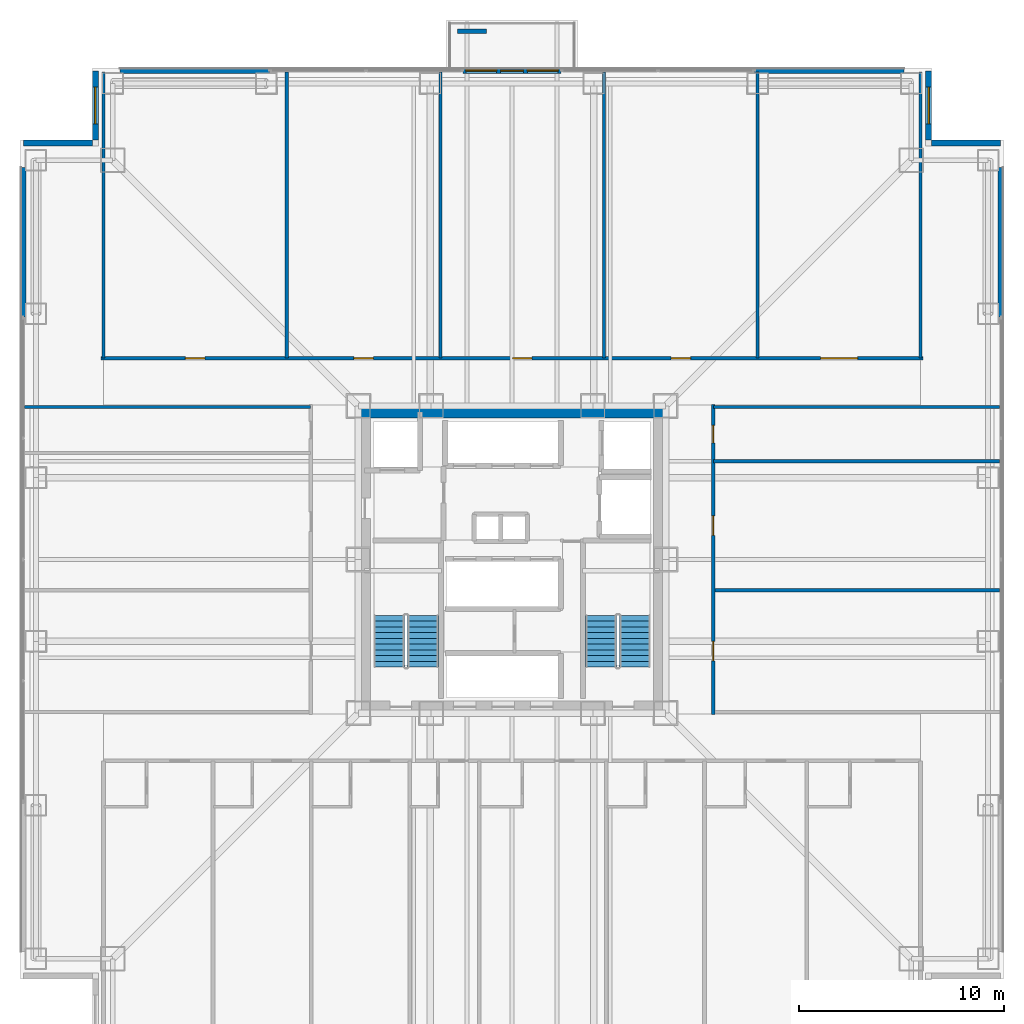
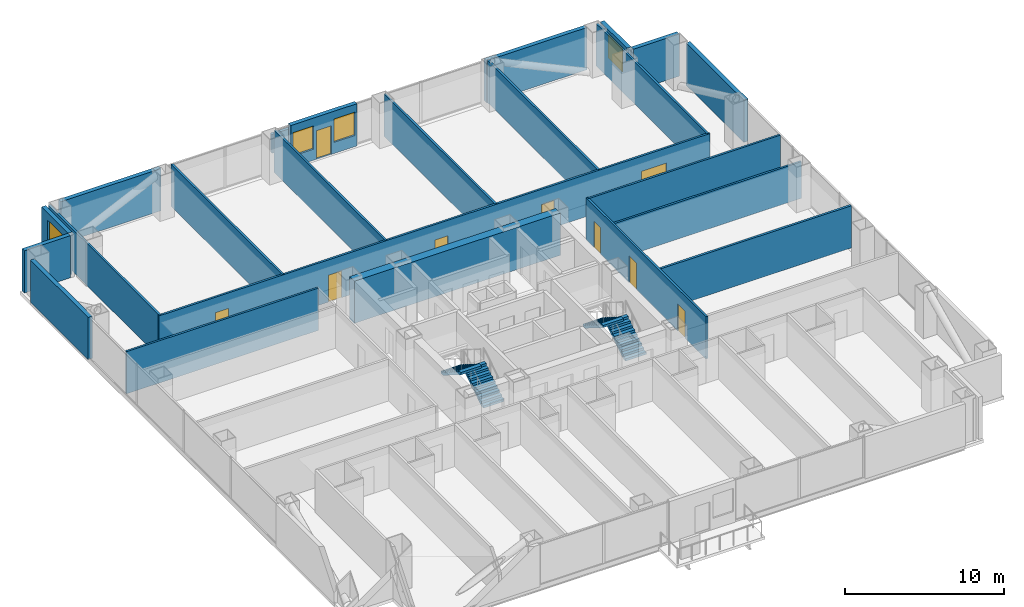
# One storey, part 13 of 16: 23 walls, 9 doors, 4 stair flights, 4 windows, 13 openings, 2 elements without a shape of their own.
"""IFC4 building model written with IfcOpenShell, lengths in metres."""

from ifc_helpers import new_model, si_unit, direction, frame, frame_2d, origin, place, context, subcontext, project, spatial, polyline, rectangle, outline, extrude, material, layer, layer_set, type_object, element, fill, aggregate, save


model = new_model("IFC4")

# Units and contexts
model_context = context("Model", 3, precision=1e-05, world=origin(), true_north=direction((0.0, 1.0)))
body_context = subcontext(model_context, "Body", "Model", "MODEL_VIEW")
ifc_project = project(units=[si_unit("LENGTHUNIT", "METRE"), si_unit("AREAUNIT", "SQUARE_METRE"), si_unit("VOLUMEUNIT", "CUBIC_METRE"), si_unit("PLANEANGLEUNIT", "RADIAN"), si_unit("MASSUNIT", "GRAM", prefix="KILO")], contexts=[model_context])

# Site, building, storey
site_placement = place(None, origin())
site = spatial("IfcSite", under=ifc_project, at=site_placement, CompositionType="ELEMENT")
building_placement = place(site_placement, origin())
building = spatial("IfcBuilding", under=site, at=building_placement, Name="Trevonay Congress Spire", CompositionType="ELEMENT")
storey_placement = place(building_placement, frame((0.0, 0.0, 65.5)))
storey = spatial("IfcBuildingStorey", under=building, at=storey_placement, Name="L16", CompositionType="ELEMENT", Elevation=65.5)

# Wall
ifc_material_1 = material(Name="Concrete C60/75", Category="concrete")
ifc_layer_1 = layer(ifc_material_1, 0.60009765625, Name="Concrete C60/75")
ifc_layer_set_1 = layer_set([ifc_layer_1], Name="Concrete C60/75")
wall_type_1 = type_object("IfcWallType", Name="WAL-CORE-600", PredefinedType="SHEAR", material=ifc_layer_set_1)
wall_1_placement = place(storey_placement, frame((-7.5, 7.199951171875, 0.0), z_axis=(0.0, 0.0, 1.0), x_axis=(1.0, 0.0, 0.0)))
element("IfcWall", 1, at=wall_1_placement, inside=storey, type_object=wall_type_1, Name="L16 North structural core shear wall", PredefinedType="SHEAR", context=body_context, shape_type="SweptSolid", body=[
    extrude(rectangle(XDim=15.0, YDim=0.60009765625, at=frame_2d((7.5, 0.0))), origin(), (0.0, 0.0, 1.0), 3.25),
])

# Wall, openings, doors
ifc_material_2 = material(Name="Concrete C40/50", Category="concrete")
ifc_layer_2 = layer(ifc_material_2, 0.14990234375, Name="Concrete C40/50")
ifc_layer_set_2 = layer_set([ifc_layer_2], Name="Concrete C40/50")
wall_type_2 = type_object("IfcWallType", Name="WAL-CORR-150", PredefinedType="PARTITIONING", material=ifc_layer_set_2)
wall_2_placement = place(storey_placement, frame((-20.070068359375, 9.830078125, 0.0), z_axis=(0.0, 0.0, 1.0), x_axis=(1.0, 0.0, 0.0)))
wall_2 = element("IfcWall", 2, at=wall_2_placement, inside=storey, type_object=wall_type_2, Name="L16 interior wall WP-L16N-COR", PredefinedType="PARTITIONING", context=body_context, shape_type="SweptSolid", body=[
    extrude(rectangle(XDim=40.14013671875, YDim=0.14990234375, at=frame_2d((20.070068359375, 0.0))), origin(), (0.0, 0.0, 1.0), 3.25),
])
opening_1_placement = place(wall_2_placement, frame((4.1201171875, 0.0, 0.0)))
opening_1 = element("IfcOpeningElement", 3, at=opening_1_placement, cuts=wall_2, Name="Opening D07", PredefinedType="OPENING", context=body_context, shape_type="SweptSolid", body=[
    extrude(rectangle(XDim=0.949951171875, YDim=2.06005859375, at=frame_2d((0.47509765625, 1.030029296875))), frame((0.0, 0.0849609375, 0.0), z_axis=(0.0, -1.0, 0.0), x_axis=(1.0, 0.0, 0.0)), (0.0, 0.0, 1.0), 0.169921875),
])
opening_2_placement = place(wall_2_placement, frame((12.344970703125, 0.0, 0.0)))
opening_2 = element("IfcOpeningElement", 4, at=opening_2_placement, cuts=wall_2, Name="Opening D07", PredefinedType="OPENING", context=body_context, shape_type="SweptSolid", body=[
    extrude(rectangle(XDim=0.949951171875, YDim=2.06005859375, at=frame_2d((0.47509765625, 1.030029296875))), frame((0.0, 0.0849609375, 0.0), z_axis=(0.0, -1.0, 0.0), x_axis=(1.0, 0.0, 0.0)), (0.0, 0.0, 1.0), 0.169921875),
])
opening_3_placement = place(wall_2_placement, frame((20.094970703125, 0.0, 0.0)))
opening_3 = element("IfcOpeningElement", 5, at=opening_3_placement, cuts=wall_2, Name="Opening D07", PredefinedType="OPENING", context=body_context, shape_type="SweptSolid", body=[
    extrude(rectangle(XDim=0.949951171875, YDim=2.06005859375, at=frame_2d((0.47509765625, 1.030029296875))), frame((0.0, 0.0849609375, 0.0), z_axis=(0.0, -1.0, 0.0), x_axis=(1.0, 0.0, 0.0)), (0.0, 0.0, 1.0), 0.169921875),
])
opening_4_placement = place(wall_2_placement, frame((27.844970703125, 0.0, 0.0)))
opening_4 = element("IfcOpeningElement", 6, at=opening_4_placement, cuts=wall_2, Name="Opening D07", PredefinedType="OPENING", context=body_context, shape_type="SweptSolid", body=[
    extrude(rectangle(XDim=0.949951171875, YDim=2.06005859375, at=frame_2d((0.47509765625, 1.030029296875))), frame((0.0, 0.0849609375, 0.0), z_axis=(0.0, -1.0, 0.0), x_axis=(1.0, 0.0, 0.0)), (0.0, 0.0, 1.0), 0.169921875),
])
opening_5_placement = place(wall_2_placement, frame((35.14501953125, 0.0, 0.0)))
opening_5 = element("IfcOpeningElement", 7, at=opening_5_placement, cuts=wall_2, Name="Opening D09", PredefinedType="OPENING", context=body_context, shape_type="SweptSolid", body=[
    extrude(rectangle(XDim=1.800048828125, YDim=2.080078125, at=frame_2d((0.89990234375, 1.0400390625))), frame((0.0, 0.0849609375, 0.0), z_axis=(0.0, -1.0, 0.0), x_axis=(1.0, 0.0, 0.0)), (0.0, 0.0, 1.0), 0.169921875),
])
ifc_material_3 = material(Name="Pale Anodised Aluminium EN AW-6063-T6", Category="aluminium")
door_type_1 = type_object("IfcDoorType", Name="DOR-CONF-DBL", OperationType="DOUBLE_DOOR_SINGLE_SWING", PredefinedType="DOOR", material=ifc_material_3)
door_1_placement = place(opening_5_placement, origin())
door_1 = element("IfcDoor", 8, at=door_1_placement, inside=storey, type_object=door_type_1, Name="L16 Club Reading Library Lounge Door", OperationType="DOUBLE_DOOR_SINGLE_SWING", OverallHeight=2.080078125, OverallWidth=1.800048828125, PredefinedType="DOOR", context=body_context, shape_type="SweptSolid", body=[
    extrude(rectangle(XDim=1.800048828125, YDim=2.080078125, at=frame_2d((0.89990234375, 1.0400390625))), frame((0.0, 0.02490234375, 0.0), z_axis=(0.0, -1.0, 0.0), x_axis=(1.0, 0.0, 0.0)), (0.0, 0.0, 1.0), 0.050048828125),
])
fill(opening_5, door_1)
door_type_2 = type_object("IfcDoorType", Name="DOR-OFFICE-95", OperationType="NOTDEFINED", PredefinedType="DOOR", material=ifc_material_3)
door_2_placement = place(opening_1_placement, origin())
door_2 = element("IfcDoor", 9, at=door_2_placement, inside=storey, type_object=door_type_2, Name="L16 Executive Club Co-Working Office 1 Door", OperationType="SINGLE_SWING_LEFT", OverallHeight=2.06005859375, OverallWidth=0.949951171875, PredefinedType="DOOR", context=body_context, shape_type="SweptSolid", body=[
    extrude(rectangle(XDim=0.949951171875, YDim=2.06005859375, at=frame_2d((0.47509765625, 1.030029296875))), frame((0.0, 0.02490234375, 0.0), z_axis=(0.0, -1.0, 0.0), x_axis=(1.0, 0.0, 0.0)), (0.0, 0.0, 1.0), 0.050048828125),
])
fill(opening_1, door_2)
door_3_placement = place(opening_2_placement, origin())
door_3 = element("IfcDoor", 10, at=door_3_placement, inside=storey, type_object=door_type_2, Name="L16 Visiting Delegation Office 2 Door", OperationType="SINGLE_SWING_RIGHT", OverallHeight=2.06005859375, OverallWidth=0.949951171875, PredefinedType="DOOR", context=body_context, shape_type="SweptSolid", body=[
    extrude(rectangle(XDim=0.949951171875, YDim=2.06005859375, at=frame_2d((0.47509765625, 1.030029296875))), frame((0.0, 0.02490234375, 0.0), z_axis=(0.0, -1.0, 0.0), x_axis=(1.0, 0.0, 0.0)), (0.0, 0.0, 1.0), 0.050048828125),
])
fill(opening_2, door_3)
door_4_placement = place(opening_3_placement, origin())
door_4 = element("IfcDoor", 11, at=door_4_placement, inside=storey, type_object=door_type_2, Name="L16 Diplomatic Secretariat Office 3 Door", OperationType="SINGLE_SWING_LEFT", OverallHeight=2.06005859375, OverallWidth=0.949951171875, PredefinedType="DOOR", context=body_context, shape_type="SweptSolid", body=[
    extrude(rectangle(XDim=0.949951171875, YDim=2.06005859375, at=frame_2d((0.47509765625, 1.030029296875))), frame((0.0, 0.02490234375, 0.0), z_axis=(0.0, -1.0, 0.0), x_axis=(1.0, 0.0, 0.0)), (0.0, 0.0, 1.0), 0.050048828125),
])
fill(opening_3, door_4)
door_5_placement = place(opening_4_placement, origin())
door_5 = element("IfcDoor", 12, at=door_5_placement, inside=storey, type_object=door_type_2, Name="L16 Executive Boardroom North Door", OperationType="SINGLE_SWING_RIGHT", OverallHeight=2.06005859375, OverallWidth=0.949951171875, PredefinedType="DOOR", context=body_context, shape_type="SweptSolid", body=[
    extrude(rectangle(XDim=0.949951171875, YDim=2.06005859375, at=frame_2d((0.47509765625, 1.030029296875))), frame((0.0, 0.02490234375, 0.0), z_axis=(0.0, -1.0, 0.0), x_axis=(1.0, 0.0, 0.0)), (0.0, 0.0, 1.0), 0.050048828125),
])
fill(opening_4, door_5)

wall_3_placement = place(storey_placement, frame((9.830078125, -7.570068359375, 0.0), z_axis=(0.0, 0.0, 1.0), x_axis=(0.0, 1.0, 0.0)))
wall_3 = element("IfcWall", 13, at=wall_3_placement, inside=storey, type_object=wall_type_2, Name="L16 interior wall WP-L16E-COR", PredefinedType="PARTITIONING", context=body_context, shape_type="SweptSolid", body=[
    extrude(rectangle(XDim=15.14013671875, YDim=0.14990234375, at=frame_2d((7.570068359375, 0.0))), origin(), (0.0, 0.0, 1.0), 3.25),
])
opening_6_placement = place(wall_3_placement, frame((2.6201171875, 0.0, 0.0)))
opening_6 = element("IfcOpeningElement", 14, at=opening_6_placement, cuts=wall_3, Name="Opening D07", PredefinedType="OPENING", context=body_context, shape_type="SweptSolid", body=[
    extrude(rectangle(XDim=0.949951171875, YDim=2.06005859375, at=frame_2d((0.47509765625, 1.030029296875))), frame((0.0, 0.0849609375, 0.0), z_axis=(0.0, -1.0, 0.0), x_axis=(1.0, 0.0, 0.0)), (0.0, 0.0, 1.0), 0.169921875),
])
opening_7_placement = place(wall_3_placement, frame((8.7451171875, 0.0, 0.0)))
opening_7 = element("IfcOpeningElement", 15, at=opening_7_placement, cuts=wall_3, Name="Opening D07", PredefinedType="OPENING", context=body_context, shape_type="SweptSolid", body=[
    extrude(rectangle(XDim=0.949951171875, YDim=2.06005859375, at=frame_2d((0.47509765625, 1.030029296875))), frame((0.0, 0.0849609375, 0.0), z_axis=(0.0, -1.0, 0.0), x_axis=(1.0, 0.0, 0.0)), (0.0, 0.0, 1.0), 0.169921875),
])
opening_8_placement = place(wall_3_placement, frame((13.27001953125, 0.0, 0.0)))
opening_8 = element("IfcOpeningElement", 16, at=opening_8_placement, cuts=wall_3, Name="Opening D10", PredefinedType="OPENING", context=body_context, shape_type="SweptSolid", body=[
    extrude(rectangle(XDim=0.85009765625, YDim=2.050048828125, at=frame_2d((0.425048828125, 1.02490234375))), frame((0.0, 0.0849609375, 0.0), z_axis=(0.0, -1.0, 0.0), x_axis=(1.0, 0.0, 0.0)), (0.0, 0.0, 1.0), 0.169921875),
])
door_6_placement = place(opening_6_placement, origin())
door_6 = element("IfcDoor", 17, at=door_6_placement, inside=storey, type_object=door_type_2, Name="L16 Housekeeping and Linen Room Door", OperationType="SINGLE_SWING_RIGHT", OverallHeight=2.06005859375, OverallWidth=0.949951171875, PredefinedType="DOOR", context=body_context, shape_type="SweptSolid", body=[
    extrude(rectangle(XDim=0.949951171875, YDim=2.06005859375, at=frame_2d((0.47509765625, 1.030029296875))), frame((0.0, 0.02490234375, 0.0), z_axis=(0.0, -1.0, 0.0), x_axis=(1.0, 0.0, 0.0)), (0.0, 0.0, 1.0), 0.050048828125),
])
fill(opening_6, door_6)
door_7_placement = place(opening_7_placement, origin())
door_7 = element("IfcDoor", 18, at=door_7_placement, inside=storey, type_object=door_type_2, Name="L16 Club Pantry Kitchen Door", OperationType="SINGLE_SWING_LEFT", OverallHeight=2.06005859375, OverallWidth=0.949951171875, PredefinedType="DOOR", context=body_context, shape_type="SweptSolid", body=[
    extrude(rectangle(XDim=0.949951171875, YDim=2.06005859375, at=frame_2d((0.47509765625, 1.030029296875))), frame((0.0, 0.02490234375, 0.0), z_axis=(0.0, -1.0, 0.0), x_axis=(1.0, 0.0, 0.0)), (0.0, 0.0, 1.0), 0.050048828125),
])
fill(opening_7, door_7)
door_type_3 = type_object("IfcDoorType", Name="DOR-WC-85", OperationType="NOTDEFINED", PredefinedType="DOOR", material=ifc_material_3)
door_8_placement = place(opening_8_placement, origin())
door_8 = element("IfcDoor", 19, at=door_8_placement, inside=storey, type_object=door_type_3, Name="L16 Female Restroom WC Door", OperationType="SINGLE_SWING_RIGHT", OverallHeight=2.050048828125, OverallWidth=0.85009765625, PredefinedType="DOOR", context=body_context, shape_type="SweptSolid", body=[
    extrude(rectangle(XDim=0.85009765625, YDim=2.050048828125, at=frame_2d((0.425048828125, 1.02490234375))), frame((0.0, 0.02490234375, 0.0), z_axis=(0.0, -1.0, 0.0), x_axis=(1.0, 0.0, 0.0)), (0.0, 0.0, 1.0), 0.050048828125),
])
fill(opening_8, door_8)

# Walls
ifc_material_4 = material(Name="Precast concrete C40/50", Category="concrete")
ifc_layer_3 = layer(ifc_material_4, 0.300048828125, Name="Precast concrete C40/50")
ifc_layer_set_3 = layer_set([ifc_layer_3], Name="Precast concrete C40/50")
wall_type_3 = type_object("IfcWallType", Name="WAL-EXT-PRECAST-300", PredefinedType="SOLIDWALL", material=ifc_layer_set_3)
for number, where, z_axis, x_axis, name in (
    (20, (-19.14990234375, 23.8798828125, 0.0), (0.0, 0.0, 1.0), (1.0, 0.0, 0.0), "L16 NL braced-bay exterior pier wall"),
    (21, (11.85009765625, 23.8798828125, 0.0), (0.0, 0.0, 1.0), (1.0, 0.0, 0.0), "L16 NR braced-bay exterior pier wall"),
):
    element("IfcWall", number, at=place(storey_placement, frame(where, z_axis=z_axis, x_axis=x_axis)), inside=storey, type_object=wall_type_3, Name=name, PredefinedType="SOLIDWALL", context=body_context, shape_type="SweptSolid", body=[
        extrude(rectangle(XDim=7.2998046875, YDim=0.300048828125, at=frame_2d((3.64990234375, 0.0))), origin(), (0.0, 0.0, 1.0), 3.25),
    ])

# Wall, openings, door, windows
wall_4_placement = place(storey_placement, frame((-2.39990234375, 23.8798828125, 0.0), z_axis=(0.0, 0.0, 1.0), x_axis=(1.0, 0.0, 0.0)))
wall_4 = element("IfcWall", 22, at=wall_4_placement, inside=storey, type_object=wall_type_3, Name="L16 N glazed balcony portal exterior wall", PredefinedType="SOLIDWALL", context=body_context, shape_type="SweptSolid", body=[
    extrude(rectangle(XDim=4.7998046875, YDim=0.300048828125, at=frame_2d((2.39990234375, 0.0))), origin(), (0.0, 0.0, 1.0), 3.25),
])
opening_9_placement = place(wall_4_placement, frame((1.85009765625, 0.0, 0.0)))
opening_9 = element("IfcOpeningElement", 23, at=opening_9_placement, cuts=wall_4, Name="Opening D03", PredefinedType="OPENING", context=body_context, shape_type="SweptSolid", body=[
    extrude(rectangle(XDim=1.10009765625, YDim=2.199951171875, at=frame_2d((0.550048828125, 1.10009765625))), frame((0.0, 0.16015625, 0.0), z_axis=(0.0, -1.0, 0.0), x_axis=(1.0, 0.0, 0.0)), (0.0, 0.0, 1.0), 0.320068359375),
])
opening_10_placement = place(wall_4_placement, frame((0.14990234375, 0.0, 0.85009765625)))
opening_10 = element("IfcOpeningElement", 24, at=opening_10_placement, cuts=wall_4, Name="Opening WN03", PredefinedType="OPENING", context=body_context, shape_type="SweptSolid", body=[
    extrude(rectangle(XDim=1.5, YDim=1.800048828125, at=frame_2d((0.75, 0.89990234375))), frame((0.0, 0.16015625, 0.0), z_axis=(0.0, -1.0, 0.0), x_axis=(1.0, 0.0, 0.0)), (0.0, 0.0, 1.0), 0.320068359375),
])
opening_11_placement = place(wall_4_placement, frame((3.14990234375, 0.0, 0.85009765625)))
opening_11 = element("IfcOpeningElement", 25, at=opening_11_placement, cuts=wall_4, Name="Opening WN03", PredefinedType="OPENING", context=body_context, shape_type="SweptSolid", body=[
    extrude(rectangle(XDim=1.5, YDim=1.800048828125, at=frame_2d((0.75, 0.89990234375))), frame((0.0, 0.16015625, 0.0), z_axis=(0.0, -1.0, 0.0), x_axis=(1.0, 0.0, 0.0)), (0.0, 0.0, 1.0), 0.320068359375),
])
door_type_4 = type_object("IfcDoorType", Name="DOR-EXT-BAL-110", OperationType="NOTDEFINED", PredefinedType="DOOR", material=ifc_material_3)
door_9_placement = place(opening_9_placement, origin())
door_9 = element("IfcDoor", 26, at=door_9_placement, inside=storey, type_object=door_type_4, Name="L16 N glazed outdoor terrace and balcony door", OperationType="SINGLE_SWING_RIGHT", OverallHeight=2.199951171875, OverallWidth=1.10009765625, PredefinedType="DOOR", context=body_context, shape_type="SweptSolid", body=[
    extrude(rectangle(XDim=1.10009765625, YDim=2.199951171875, at=frame_2d((0.550048828125, 1.10009765625))), frame((0.0, 0.02490234375, 0.0), z_axis=(0.0, -1.0, 0.0), x_axis=(1.0, 0.0, 0.0)), (0.0, 0.0, 1.0), 0.050048828125),
])
fill(opening_9, door_9)
ifc_material_5 = material(Name="Insulated Low-E Vision Glass IGU", Category="glass")
window_type_1 = type_object("IfcWindowType", Name="WIN-NOTCH-150X180", PartitioningType="SINGLE_PANEL", PredefinedType="WINDOW", material=ifc_material_5)
window_1_placement = place(opening_10_placement, origin())
window_1 = element("IfcWindow", 27, at=window_1_placement, inside=storey, type_object=window_type_1, Name="L16 N balcony sidelight window L", OverallHeight=1.800048828125, OverallWidth=1.5, PartitioningType="SINGLE_PANEL", PredefinedType="WINDOW", context=body_context, shape_type="SweptSolid", body=[
    extrude(rectangle(XDim=1.5, YDim=1.800048828125, at=frame_2d((0.75, 0.89990234375))), frame((0.0, 0.030029296875, 0.0), z_axis=(0.0, -1.0, 0.0), x_axis=(1.0, 0.0, 0.0)), (0.0, 0.0, 1.0), 0.06005859375),
])
fill(opening_10, window_1)
window_2_placement = place(opening_11_placement, origin())
window_2 = element("IfcWindow", 28, at=window_2_placement, inside=storey, type_object=window_type_1, Name="L16 N balcony sidelight window R", OverallHeight=1.800048828125, OverallWidth=1.5, PartitioningType="SINGLE_PANEL", PredefinedType="WINDOW", context=body_context, shape_type="SweptSolid", body=[
    extrude(rectangle(XDim=1.5, YDim=1.800048828125, at=frame_2d((0.75, 0.89990234375))), frame((0.0, 0.030029296875, 0.0), z_axis=(0.0, -1.0, 0.0), x_axis=(1.0, 0.0, 0.0)), (0.0, 0.0, 1.0), 0.06005859375),
])
fill(opening_11, window_2)

# Walls
for number, where, z_axis, x_axis, name in (
    (29, (-23.8798828125, 11.85009765625, 0.0), (0.0, 0.0, 1.0), (0.0, 1.0, 0.0), "L16 WR braced-bay exterior pier wall"),
    (30, (23.8798828125, 11.85009765625, 0.0), (0.0, 0.0, 1.0), (0.0, 1.0, 0.0), "L16 ER braced-bay exterior pier wall"),
):
    element("IfcWall", number, at=place(storey_placement, frame(where, z_axis=z_axis, x_axis=x_axis)), inside=storey, type_object=wall_type_3, Name=name, PredefinedType="SOLIDWALL", context=body_context, shape_type="SweptSolid", body=[
        extrude(rectangle(XDim=7.2998046875, YDim=0.300048828125, at=frame_2d((3.64990234375, 0.0))), origin(), (0.0, 0.0, 1.0), 3.25),
    ])

# Wall, opening, window
wall_5_placement = place(storey_placement, frame((20.35009765625, 23.85009765625, 0.0), z_axis=(0.0, 0.0, 1.0), x_axis=(0.0, -1.0, 0.0)))
wall_5 = element("IfcWall", 31, at=wall_5_placement, inside=storey, type_object=wall_type_3, Name="L16 NE re-entrant notch exterior wall 1", PredefinedType="SOLIDWALL", context=body_context, shape_type="SweptSolid", body=[
    extrude(rectangle(XDim=3.35009765625, YDim=0.300048828125, at=frame_2d((1.675048828125, 0.0))), origin(), (0.0, 0.0, 1.0), 3.25),
])
opening_12_placement = place(wall_5_placement, frame((0.77490234375, 0.0, 0.89990234375)))
opening_12 = element("IfcOpeningElement", 32, at=opening_12_placement, cuts=wall_5, Name="Opening WN01", PredefinedType="OPENING", context=body_context, shape_type="SweptSolid", body=[
    extrude(rectangle(XDim=1.800048828125, YDim=1.800048828125, at=frame_2d((0.89990234375, 0.89990234375))), frame((0.0, 0.16015625, 0.0), z_axis=(0.0, -1.0, 0.0), x_axis=(1.0, 0.0, 0.0)), (0.0, 0.0, 1.0), 0.320068359375),
])
window_type_2 = type_object("IfcWindowType", Name="WIN-HOTEL-180X180", PartitioningType="SINGLE_PANEL", PredefinedType="WINDOW", material=ifc_material_5)
window_3_placement = place(opening_12_placement, origin())
window_3 = element("IfcWindow", 33, at=window_3_placement, inside=storey, type_object=window_type_2, Name="L16 NE corner notch window", OverallHeight=1.800048828125, OverallWidth=1.800048828125, PartitioningType="SINGLE_PANEL", PredefinedType="WINDOW", context=body_context, shape_type="SweptSolid", body=[
    extrude(rectangle(XDim=1.800048828125, YDim=1.800048828125, at=frame_2d((0.89990234375, 0.89990234375))), frame((0.0, 0.030029296875, 0.0), z_axis=(0.0, -1.0, 0.0), x_axis=(1.0, 0.0, 0.0)), (0.0, 0.0, 1.0), 0.06005859375),
])
fill(opening_12, window_3)

# Wall
wall_6_placement = place(storey_placement, frame((23.85009765625, 20.35009765625, 0.0), z_axis=(0.0, 0.0, 1.0), x_axis=(-1.0, 0.0, 0.0)))
element("IfcWall", 34, at=wall_6_placement, inside=storey, type_object=wall_type_3, Name="L16 NE re-entrant notch exterior wall 2", PredefinedType="SOLIDWALL", context=body_context, shape_type="SweptSolid", body=[
    extrude(rectangle(XDim=3.35009765625, YDim=0.300048828125, at=frame_2d((1.675048828125, 0.0))), origin(), (0.0, 0.0, 1.0), 3.25),
])

# Wall, opening, window
wall_7_placement = place(storey_placement, frame((-20.35009765625, 23.85009765625, 0.0), z_axis=(0.0, 0.0, 1.0), x_axis=(0.0, -1.0, 0.0)))
wall_7 = element("IfcWall", 35, at=wall_7_placement, inside=storey, type_object=wall_type_3, Name="L16 NW re-entrant notch exterior wall 1", PredefinedType="SOLIDWALL", context=body_context, shape_type="SweptSolid", body=[
    extrude(rectangle(XDim=3.35009765625, YDim=0.300048828125, at=frame_2d((1.675048828125, 0.0))), origin(), (0.0, 0.0, 1.0), 3.25),
])
opening_13_placement = place(wall_7_placement, frame((0.77490234375, 0.0, 0.89990234375)))
opening_13 = element("IfcOpeningElement", 36, at=opening_13_placement, cuts=wall_7, Name="Opening WN01", PredefinedType="OPENING", context=body_context, shape_type="SweptSolid", body=[
    extrude(rectangle(XDim=1.800048828125, YDim=1.800048828125, at=frame_2d((0.89990234375, 0.89990234375))), frame((0.0, 0.16015625, 0.0), z_axis=(0.0, -1.0, 0.0), x_axis=(1.0, 0.0, 0.0)), (0.0, 0.0, 1.0), 0.320068359375),
])
window_4_placement = place(opening_13_placement, origin())
window_4 = element("IfcWindow", 37, at=window_4_placement, inside=storey, type_object=window_type_2, Name="L16 NW corner notch window", OverallHeight=1.800048828125, OverallWidth=1.800048828125, PartitioningType="SINGLE_PANEL", PredefinedType="WINDOW", context=body_context, shape_type="SweptSolid", body=[
    extrude(rectangle(XDim=1.800048828125, YDim=1.800048828125, at=frame_2d((0.89990234375, 0.89990234375))), frame((0.0, 0.030029296875, 0.0), z_axis=(0.0, -1.0, 0.0), x_axis=(1.0, 0.0, 0.0)), (0.0, 0.0, 1.0), 0.06005859375),
])
fill(opening_13, window_4)

# Walls
wall_8_placement = place(storey_placement, frame((-23.85009765625, 20.35009765625, 0.0), z_axis=(0.0, 0.0, 1.0), x_axis=(1.0, 0.0, 0.0)))
element("IfcWall", 38, at=wall_8_placement, inside=storey, type_object=wall_type_3, Name="L16 NW re-entrant notch exterior wall 2", PredefinedType="SOLIDWALL", context=body_context, shape_type="SweptSolid", body=[
    extrude(rectangle(XDim=3.35009765625, YDim=0.300048828125, at=frame_2d((1.675048828125, 0.0))), origin(), (0.0, 0.0, 1.0), 3.25),
])
ifc_layer_4 = layer(ifc_material_2, 0.14990234375, Name="Concrete C40/50")
ifc_layer_set_4 = layer_set([ifc_layer_4], Name="Concrete C40/50")
wall_type_4 = type_object("IfcWallType", Name="WAL-PART-150", PredefinedType="PARTITIONING", material=ifc_layer_set_4)
for number, where, z_axis, x_axis, name in (
    (39, (-19.949951171875, 9.830078125, 0.0), (0.0, 0.0, 1.0), (0.0, 1.0, 0.0), "L16 interior wall WP-L16N-DIV1"),
    (40, (-11.0, 9.830078125, 0.0), (0.0, 0.0, 1.0), (0.0, 1.0, 0.0), "L16 interior wall WP-L16N-DIV2"),
    (41, (-3.5, 9.830078125, 0.0), (0.0, 0.0, 1.0), (0.0, 1.0, 0.0), "L16 interior wall WP-L16N-DIV3"),
    (42, (4.5, 9.830078125, 0.0), (0.0, 0.0, 1.0), (0.0, 1.0, 0.0), "L16 interior wall WP-L16N-DIV4"),
    (43, (12.0, 9.830078125, 0.0), (0.0, 0.0, 1.0), (0.0, 1.0, 0.0), "L16 interior wall WP-L16N-DIV5"),
    (44, (19.949951171875, 9.830078125, 0.0), (0.0, 0.0, 1.0), (0.0, 1.0, 0.0), "L16 interior wall WP-L16N-DIV6"),
    (45, (-23.820068359375, 7.449951171875, 0.0), (0.0, 0.0, 1.0), (1.0, 0.0, 0.0), "L16 interior wall WP-L16W-DIV4"),
):
    element("IfcWall", number, at=place(storey_placement, frame(where, z_axis=z_axis, x_axis=x_axis)), inside=storey, type_object=wall_type_4, Name=name, PredefinedType="PARTITIONING", context=body_context, shape_type="SweptSolid", body=[
        extrude(rectangle(XDim=13.989990234375, YDim=0.14990234375, at=frame_2d((6.9951171875, 0.0))), origin(), (0.0, 0.0, 1.0), 3.25),
    ])
wall_9_placement = place(storey_placement, frame((9.830078125, 4.800048828125, 0.0), z_axis=(0.0, 0.0, 1.0), x_axis=(1.0, 0.0, 0.0)))
element("IfcWall", 46, at=wall_9_placement, inside=storey, type_object=wall_type_4, Name="L16 interior wall WP-L16E-DIV3", PredefinedType="PARTITIONING", context=body_context, shape_type="SweptSolid", body=[
    extrude(rectangle(XDim=13.989990234375, YDim=0.14990234375, at=frame_2d((6.9951171875, 0.0))), origin(), (0.0, 0.0, 1.0), 2.818115234375),
])
wall_10_placement = place(storey_placement, frame((9.830078125, 7.449951171875, 0.0), z_axis=(0.0, 0.0, 1.0), x_axis=(1.0, 0.0, 0.0)))
element("IfcWall", 47, at=wall_10_placement, inside=storey, type_object=wall_type_4, Name="L16 interior wall WP-L16E-DIV4", PredefinedType="PARTITIONING", context=body_context, shape_type="SweptSolid", body=[
    extrude(rectangle(XDim=13.989990234375, YDim=0.14990234375, at=frame_2d((6.9951171875, 0.0))), origin(), (0.0, 0.0, 1.0), 3.25),
])
ifc_layer_5 = layer(ifc_material_4, 0.199951171875, Name="Precast concrete C40/50")
ifc_layer_set_5 = layer_set([ifc_layer_5], Name="Precast concrete C40/50")
wall_type_5 = type_object("IfcWallType", Name="WAL-TREE-PLANTER-200", PredefinedType="PARAPET", material=ifc_layer_set_5)
wall_11_placement = place(storey_placement, frame((-2.64990234375, 25.800048828125, 0.0), z_axis=(0.0, 0.0, 1.0), x_axis=(1.0, 0.0, 0.0)))
element("IfcWall", 48, at=wall_11_placement, inside=storey, type_object=wall_type_5, Name="L16 N cantilevered balcony tree planter box", PredefinedType="PARAPET", context=body_context, shape_type="SweptSolid", body=[
    extrude(rectangle(XDim=1.39990234375, YDim=0.199951171875, at=frame_2d((0.699951171875, 0.0))), origin(), (0.0, 0.0, 1.0), 1.449951171875),
])
ifc_layer_6 = layer(ifc_material_2, 0.1650390625, Name="Concrete C40/50")
ifc_layer_set_6 = layer_set([ifc_layer_6], Name="Concrete C40/50")
wall_type_6 = type_object("IfcWallType", Name="WAL-WET-165", PredefinedType="PLUMBINGWALL", material=ifc_layer_set_6)
wall_12_placement = place(storey_placement, frame((9.830078125, -1.5, 0.0), z_axis=(0.0, 0.0, 1.0), x_axis=(1.0, 0.0, 0.0)))
element("IfcWall", 49, at=wall_12_placement, inside=storey, type_object=wall_type_6, Name="L16 interior wall WP-L16E-DIV2", PredefinedType="PLUMBINGWALL", context=body_context, shape_type="SweptSolid", body=[
    extrude(rectangle(XDim=13.989990234375, YDim=0.1650390625, at=frame_2d((6.9951171875, 0.0))), origin(), (0.0, 0.0, 1.0), 3.25),
])

# Stair, stair flights
stair_type_1 = type_object("IfcStairType", Name="STR-ST-1", PredefinedType="HALF_TURN_STAIR", material=ifc_material_2)
stair_1_placement = place(storey_placement, origin())
stair_1 = element("IfcStair", 50, at=stair_1_placement, inside=storey, type_object=stair_type_1, Name="L16 Protected Exit Stair ST-1", PredefinedType="HALF_TURN_STAIR")
stair_flight_type_1 = type_object("IfcStairFlightType", Name="SFL-ST-1", PredefinedType="STRAIGHT", material=ifc_material_2)
stair_flight_1_placement = place(storey_placement, frame((-4.35009765625, -5.25, 0.0), z_axis=(0.0, 0.0, 1.0), x_axis=(0.0, 1.0, 0.0)))
stair_flight_1 = element("IfcStairFlight", 51, at=stair_flight_1_placement, type_object=stair_flight_type_1, Name="ST-1 flight 1", NumberOfRisers=10, NumberOfTreads=9, PredefinedType="STRAIGHT", RiserHeight=0.175, TreadLength=0.28, context=body_context, shape_type="SweptSolid", body=[
    extrude(outline(polyline([(0.0, 0.0), (0.0, 0.175048828125), (0.280029296875, 0.175048828125), (0.280029296875, 0.35009765625), (0.56005859375, 0.35009765625), (0.56005859375, 0.52490234375), (0.840087890625, 0.52490234375), (0.840087890625, 0.699951171875), (1.1201171875, 0.699951171875), (1.1201171875, 0.875), (1.39990234375, 0.875), (1.39990234375, 1.050048828125), (1.679931640625, 1.050048828125), (1.679931640625, 1.22509765625), (1.9599609375, 1.22509765625), (1.9599609375, 1.39990234375), (2.239990234375, 1.39990234375), (2.239990234375, 1.574951171875), (2.52001953125, 1.574951171875), (2.52001953125, 1.75), (2.52001953125, 1.398193359375), (0.28271484375, 0.0), (0.0, 0.0)])), frame((0.0, 0.75, 0.0), z_axis=(0.0, -1.0, 0.0), x_axis=(1.0, 0.0, 0.0)), (0.0, 0.0, 1.0), 1.5),
])
stair_flight_2_placement = place(storey_placement, frame((-6.0, -2.72998046875, 1.75), z_axis=(0.0, 0.0, 1.0), x_axis=(0.0, -1.0, 0.0)))
stair_flight_2 = element("IfcStairFlight", 52, at=stair_flight_2_placement, type_object=stair_flight_type_1, Name="ST-1 flight 2", NumberOfRisers=10, NumberOfTreads=9, PredefinedType="STRAIGHT", RiserHeight=0.175, TreadLength=0.28, context=body_context, shape_type="SweptSolid", body=[
    extrude(outline(polyline([(0.0, 0.0), (0.0, 0.175048828125), (0.280029296875, 0.175048828125), (0.280029296875, 0.35009765625), (0.56005859375, 0.35009765625), (0.56005859375, 0.52490234375), (0.840087890625, 0.52490234375), (0.840087890625, 0.699951171875), (1.1201171875, 0.699951171875), (1.1201171875, 0.875), (1.39990234375, 0.875), (1.39990234375, 1.050048828125), (1.679931640625, 1.050048828125), (1.679931640625, 1.22509765625), (1.9599609375, 1.22509765625), (1.9599609375, 1.39990234375), (2.239990234375, 1.39990234375), (2.239990234375, 1.574951171875), (2.52001953125, 1.574951171875), (2.52001953125, 1.75), (2.52001953125, 1.398193359375), (0.28271484375, 0.0), (0.0, 0.0)])), frame((0.0, 0.75, 0.0), z_axis=(0.0, -1.0, 0.0), x_axis=(1.0, 0.0, 0.0)), (0.0, 0.0, 1.0), 1.5),
])
aggregate(stair_1, [stair_flight_1, stair_flight_2])

stair_type_2 = type_object("IfcStairType", Name="STR-ST-2", PredefinedType="HALF_TURN_STAIR", material=ifc_material_2)
stair_2_placement = place(storey_placement, origin())
stair_2 = element("IfcStair", 53, at=stair_2_placement, inside=storey, type_object=stair_type_2, Name="L16 Protected Exit Stair ST-2", PredefinedType="HALF_TURN_STAIR")
stair_flight_type_2 = type_object("IfcStairFlightType", Name="SFL-ST-2", PredefinedType="STRAIGHT", material=ifc_material_2)
stair_flight_3_placement = place(storey_placement, frame((6.0, -5.25, 0.0), z_axis=(0.0, 0.0, 1.0), x_axis=(0.0, 1.0, 0.0)))
stair_flight_3 = element("IfcStairFlight", 54, at=stair_flight_3_placement, type_object=stair_flight_type_2, Name="ST-2 flight 1", NumberOfRisers=10, NumberOfTreads=9, PredefinedType="STRAIGHT", RiserHeight=0.175, TreadLength=0.28, context=body_context, shape_type="SweptSolid", body=[
    extrude(outline(polyline([(0.0, 0.0), (0.0, 0.175048828125), (0.280029296875, 0.175048828125), (0.280029296875, 0.35009765625), (0.56005859375, 0.35009765625), (0.56005859375, 0.52490234375), (0.840087890625, 0.52490234375), (0.840087890625, 0.699951171875), (1.1201171875, 0.699951171875), (1.1201171875, 0.875), (1.39990234375, 0.875), (1.39990234375, 1.050048828125), (1.679931640625, 1.050048828125), (1.679931640625, 1.22509765625), (1.9599609375, 1.22509765625), (1.9599609375, 1.39990234375), (2.239990234375, 1.39990234375), (2.239990234375, 1.574951171875), (2.52001953125, 1.574951171875), (2.52001953125, 1.75), (2.52001953125, 1.398193359375), (0.28271484375, 0.0), (0.0, 0.0)])), frame((0.0, 0.75, 0.0), z_axis=(0.0, -1.0, 0.0), x_axis=(1.0, 0.0, 0.0)), (0.0, 0.0, 1.0), 1.5),
])
stair_flight_4_placement = place(storey_placement, frame((4.35009765625, -2.72998046875, 1.75), z_axis=(0.0, 0.0, 1.0), x_axis=(0.0, -1.0, 0.0)))
stair_flight_4 = element("IfcStairFlight", 55, at=stair_flight_4_placement, type_object=stair_flight_type_2, Name="ST-2 flight 2", NumberOfRisers=10, NumberOfTreads=9, PredefinedType="STRAIGHT", RiserHeight=0.175, TreadLength=0.28, context=body_context, shape_type="SweptSolid", body=[
    extrude(outline(polyline([(0.0, 0.0), (0.0, 0.175048828125), (0.280029296875, 0.175048828125), (0.280029296875, 0.35009765625), (0.56005859375, 0.35009765625), (0.56005859375, 0.52490234375), (0.840087890625, 0.52490234375), (0.840087890625, 0.699951171875), (1.1201171875, 0.699951171875), (1.1201171875, 0.875), (1.39990234375, 0.875), (1.39990234375, 1.050048828125), (1.679931640625, 1.050048828125), (1.679931640625, 1.22509765625), (1.9599609375, 1.22509765625), (1.9599609375, 1.39990234375), (2.239990234375, 1.39990234375), (2.239990234375, 1.574951171875), (2.52001953125, 1.574951171875), (2.52001953125, 1.75), (2.52001953125, 1.398193359375), (0.28271484375, 0.0), (0.0, 0.0)])), frame((0.0, 0.75, 0.0), z_axis=(0.0, -1.0, 0.0), x_axis=(1.0, 0.0, 0.0)), (0.0, 0.0, 1.0), 1.5),
])
aggregate(stair_2, [stair_flight_3, stair_flight_4])

save(model, "model.ifc")
